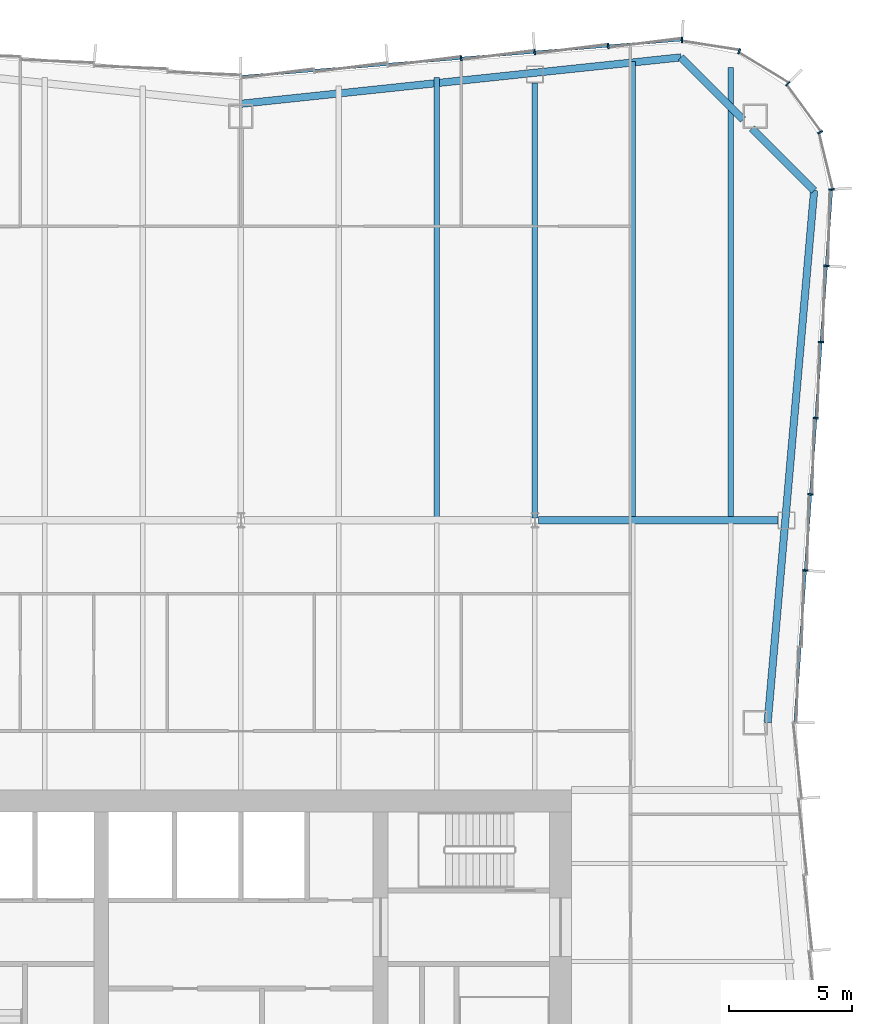
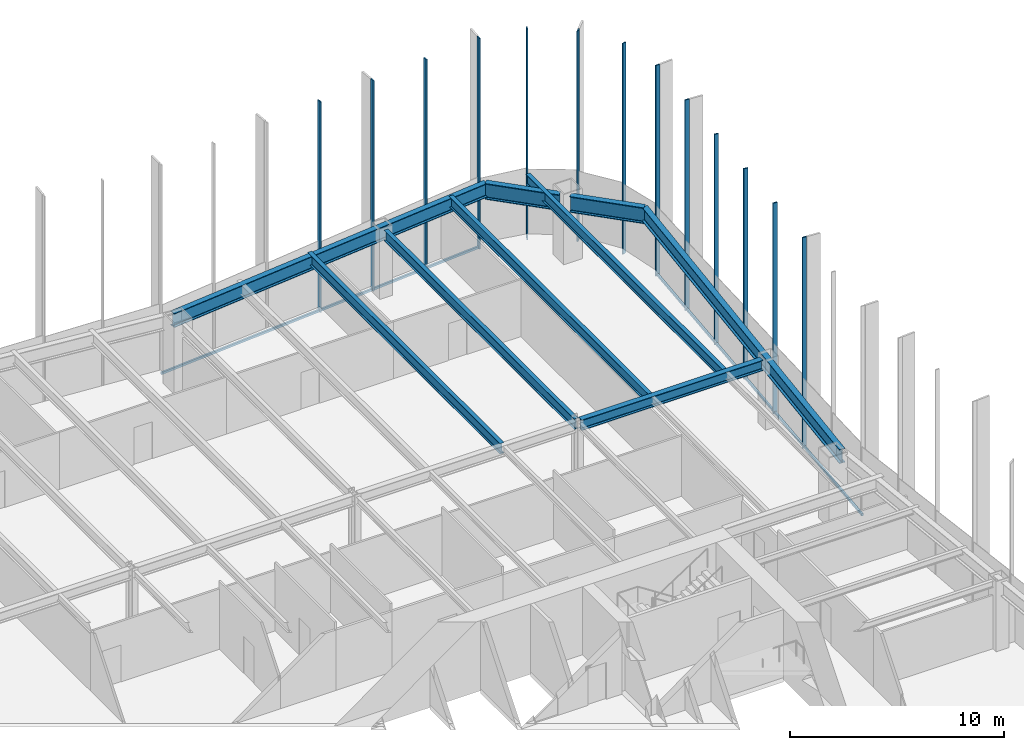
# One storey, part 7 of 13: 15 members, 9 beams, 3 elements without a shape of their own.
"""IFC4 building model written with IfcOpenShell, lengths in metres."""

from ifc_helpers import new_model, si_unit, direction, frame, origin, origin_2d, place, context, subcontext, project, spatial, rectangle, i_section, extrude, material, material_profile, profile_set, type_object, element, aggregate, save


model = new_model("IFC4")

# Units and contexts
model_context = context("Model", 3, precision=1e-05, world=origin(), true_north=direction((0.0, 1.0)))
body_context = subcontext(model_context, "Body", "Model", "MODEL_VIEW")
ifc_project = project(units=[si_unit("LENGTHUNIT", "METRE"), si_unit("AREAUNIT", "SQUARE_METRE"), si_unit("VOLUMEUNIT", "CUBIC_METRE"), si_unit("PLANEANGLEUNIT", "RADIAN"), si_unit("MASSUNIT", "GRAM", prefix="KILO")], contexts=[model_context])

# Site, building, storey
site_placement = place(None, origin())
site = spatial("IfcSite", under=ifc_project, at=site_placement, CompositionType="ELEMENT")
building_placement = place(site_placement, origin())
building = spatial("IfcBuilding", under=site, at=building_placement, Name="Verdant Reach Tower", CompositionType="ELEMENT")
storey_placement = place(building_placement, frame((0.0, 0.0, 194.0)))
storey = spatial("IfcBuildingStorey", under=building, at=storey_placement, Name="L44", CompositionType="ELEMENT", Elevation=194.0)

# Curtain wall, members
ifc_material_1 = material(Name="Anodised aluminium", Category="aluminium")
curtain_wall_type = type_object("IfcCurtainWallType", Name="EN-CW SYSTEM Z3", PredefinedType="NOTDEFINED", material=ifc_material_1)
curtain_wall_1_placement = place(storey_placement, origin())
curtain_wall_1 = element("IfcCurtainWall", 1, at=curtain_wall_1_placement, inside=storey, type_object=curtain_wall_type, Name="Curtain wall east, L44", PredefinedType="NOTDEFINED")
ifc_material_profile_1 = material_profile(ifc_material_1, rectangle(XDim=0.218017578125, YDim=0.06591796875, at=origin_2d()), Name="Mullion 66x218")
ifc_profile_set_1 = profile_set([ifc_material_profile_1], Name="Anodised aluminium")
member_type_1 = type_object("IfcMemberType", Name="EN-MULLION Z3", PredefinedType="MULLION", material=ifc_profile_set_1)
member_1_placement = place(storey_placement, frame((23.037353515625, 47.456787109375, -0.35009765625), z_axis=(0.0, 0.0, 1.0), x_axis=(0.997630328423, -0.068802091615, 0.0)))
member_1 = element("IfcMember", 2, at=member_1_placement, type_object=member_type_1, Name="Mullion east face part 2 3, L44", PredefinedType="MULLION", context=body_context, shape_type="SweptSolid", body=[
    extrude(rectangle(XDim=0.218017578125, YDim=0.06591796875, at=origin_2d()), origin(), (0.0, 0.0, 1.0), 12.0),
])
member_2_placement = place(storey_placement, frame((23.251708984375, 50.56396484375, -0.35009765625), z_axis=(0.0, 0.0, 1.0), x_axis=(0.997630328423, -0.068802091615, 0.0)))
member_2 = element("IfcMember", 3, at=member_2_placement, type_object=member_type_1, Name="Mullion east face part 2 4, L44", PredefinedType="MULLION", context=body_context, shape_type="SweptSolid", body=[
    extrude(rectangle(XDim=0.218017578125, YDim=0.06591796875, at=origin_2d()), origin(), (0.0, 0.0, 1.0), 12.0),
])
member_3_placement = place(storey_placement, frame((23.4658203125, 53.671142578125, -0.35009765625), z_axis=(0.0, 0.0, 1.0), x_axis=(0.997630328423, -0.068802091615, 0.0)))
member_3 = element("IfcMember", 4, at=member_3_placement, type_object=member_type_1, Name="Mullion east face part 2 5, L44", PredefinedType="MULLION", context=body_context, shape_type="SweptSolid", body=[
    extrude(rectangle(XDim=0.218017578125, YDim=0.06591796875, at=origin_2d()), origin(), (0.0, 0.0, 1.0), 12.0),
])
member_4_placement = place(storey_placement, frame((23.68017578125, 56.7783203125, -0.35009765625), z_axis=(0.0, 0.0, 1.0), x_axis=(0.997630328423, -0.068802091615, 0.0)))
member_4 = element("IfcMember", 5, at=member_4_placement, type_object=member_type_1, Name="Mullion east face part 2 6, L44", PredefinedType="MULLION", context=body_context, shape_type="SweptSolid", body=[
    extrude(rectangle(XDim=0.218017578125, YDim=0.06591796875, at=origin_2d()), origin(), (0.0, 0.0, 1.0), 12.0),
])
member_5_placement = place(storey_placement, frame((23.89453125, 59.88525390625, -0.35009765625), z_axis=(0.0, 0.0, 1.0), x_axis=(0.997630328423, -0.068802091615, 0.0)))
member_5 = element("IfcMember", 6, at=member_5_placement, type_object=member_type_1, Name="Mullion east face part 2 7, L44", PredefinedType="MULLION", context=body_context, shape_type="SweptSolid", body=[
    extrude(rectangle(XDim=0.218017578125, YDim=0.06591796875, at=origin_2d()), origin(), (0.0, 0.0, 1.0), 12.0),
])

curtain_wall_2_placement = place(storey_placement, origin())
curtain_wall_2 = element("IfcCurtainWall", 7, at=curtain_wall_2_placement, inside=storey, type_object=curtain_wall_type, Name="Curtain wall north-east corner, L44", PredefinedType="NOTDEFINED")
member_6_placement = place(storey_placement, frame((24.10888671875, 63.0068359375, -0.35009765625), z_axis=(0.0, 0.0, 1.0), x_axis=(0.997969180898, 0.063698618332, 0.0)))
member_6 = element("IfcMember", 8, at=member_6_placement, type_object=member_type_1, Name="Mullion north-east corner 1, L44", PredefinedType="MULLION", context=body_context, shape_type="SweptSolid", body=[
    extrude(rectangle(XDim=0.218017578125, YDim=0.06591796875, at=origin_2d()), origin(), (0.0, 0.0, 1.0), 12.0),
])
member_7_placement = place(storey_placement, frame((23.64404296875, 65.337890625, -0.35009765625), z_axis=(0.0, 0.0, 1.0), x_axis=(0.923875215753, 0.382693853776, 0.0)))
member_7 = element("IfcMember", 9, at=member_7_placement, type_object=member_type_1, Name="Mullion north-east corner 2, L44", PredefinedType="MULLION", context=body_context, shape_type="SweptSolid", body=[
    extrude(rectangle(XDim=0.218017578125, YDim=0.06591796875, at=origin_2d()), origin(), (0.0, 0.0, 1.0), 12.0),
])
member_8_placement = place(storey_placement, frame((22.319580078125, 67.319580078125, -0.35009765625), z_axis=(0.0, 0.0, 1.0), x_axis=(0.707106781187, 0.707106781187, 0.0)))
member_8 = element("IfcMember", 10, at=member_8_placement, type_object=member_type_1, Name="Mullion north-east corner 3, L44", PredefinedType="MULLION", context=body_context, shape_type="SweptSolid", body=[
    extrude(rectangle(XDim=0.218017578125, YDim=0.06591796875, at=origin_2d()), origin(), (0.0, 0.0, 1.0), 12.0),
])
member_9_placement = place(storey_placement, frame((20.337890625, 68.64404296875, -0.35009765625), z_axis=(0.0, 0.0, 1.0), x_axis=(0.382693853776, 0.923875215753, 0.0)))
member_9 = element("IfcMember", 11, at=member_9_placement, type_object=member_type_1, Name="Mullion north-east corner 4, L44", PredefinedType="MULLION", context=body_context, shape_type="SweptSolid", body=[
    extrude(rectangle(XDim=0.218017578125, YDim=0.06591796875, at=origin_2d()), origin(), (0.0, 0.0, 1.0), 12.0),
])
aggregate(curtain_wall_2, [member_6, member_7, member_8, member_9])

curtain_wall_3_placement = place(storey_placement, origin())
curtain_wall_3 = element("IfcCurtainWall", 12, at=curtain_wall_3_placement, inside=storey, type_object=curtain_wall_type, Name="Curtain wall north, L44", PredefinedType="NOTDEFINED")
member_10_placement = place(storey_placement, frame((18.006103515625, 69.10888671875, -0.35009765625), z_axis=(0.0, 0.0, 1.0), x_axis=(0.056569187765, 0.998398681387, 0.0)))
member_10 = element("IfcMember", 13, at=member_10_placement, type_object=member_type_1, Name="Mullion north face part 1 1, L44", PredefinedType="MULLION", context=body_context, shape_type="SweptSolid", body=[
    extrude(rectangle(XDim=0.218017578125, YDim=0.06591796875, at=origin_2d()), origin(), (0.0, 0.0, 1.0), 12.0),
])
member_11_placement = place(storey_placement, frame((14.990966796875, 68.858642578125, -0.35009765625), z_axis=(0.0, 0.0, 1.0), x_axis=(-0.083045479859, 0.996545758244, 0.0)))
member_11 = element("IfcMember", 14, at=member_11_placement, type_object=member_type_1, Name="Mullion north face part 1 2, L44", PredefinedType="MULLION", context=body_context, shape_type="SweptSolid", body=[
    extrude(rectangle(XDim=0.218017578125, YDim=0.06591796875, at=origin_2d()), origin(), (0.0, 0.0, 1.0), 12.0),
])
member_12_placement = place(storey_placement, frame((11.990966796875, 68.608642578125, -0.35009765625), z_axis=(0.0, 0.0, 1.0), x_axis=(-0.083045479859, 0.996545758244, 0.0)))
member_12 = element("IfcMember", 15, at=member_12_placement, type_object=member_type_1, Name="Mullion north face part 1 3, L44", PredefinedType="MULLION", context=body_context, shape_type="SweptSolid", body=[
    extrude(rectangle(XDim=0.218017578125, YDim=0.06591796875, at=origin_2d()), origin(), (0.0, 0.0, 1.0), 12.0),
])
member_13_placement = place(storey_placement, frame((8.990966796875, 68.358642578125, -0.35009765625), z_axis=(0.0, 0.0, 1.0), x_axis=(-0.083045479859, 0.996545758244, 0.0)))
member_13 = element("IfcMember", 16, at=member_13_placement, type_object=member_type_1, Name="Mullion north face part 1 4, L44", PredefinedType="MULLION", context=body_context, shape_type="SweptSolid", body=[
    extrude(rectangle(XDim=0.218017578125, YDim=0.06591796875, at=origin_2d()), origin(), (0.0, 0.0, 1.0), 12.0),
])

# Member
ifc_material_profile_2 = material_profile(ifc_material_1, rectangle(XDim=0.10009765625, YDim=0.1259765625, at=origin_2d()), Name="Transom 126x100")
ifc_profile_set_2 = profile_set([ifc_material_profile_2], Name="Anodised aluminium")
member_type_2 = type_object("IfcMemberType", Name="EN-TRANSOM Z3", PredefinedType="USERDEFINED", material=ifc_profile_set_2)
member_14_placement = place(storey_placement, frame((22.611328125, 41.282958984375, -0.287109375), z_axis=(0.068764326054, 0.997632932226, 0.0), x_axis=(-0.997632932226, 0.068764326054, 0.0)))
member_14 = element("IfcMember", 17, at=member_14_placement, type_object=member_type_2, Name="Transom east face part 2 1.1, L44", ObjectType="TRANSOM", PredefinedType="USERDEFINED", context=body_context, shape_type="SweptSolid", body=[
    extrude(rectangle(XDim=0.10009765625, YDim=0.1259765625, at=origin_2d()), origin(), (0.0, 0.0, 1.0), 21.74267578125),
])

aggregate(curtain_wall_1, [member_1, member_2, member_3, member_4, member_5, member_14])

member_15_placement = place(storey_placement, frame((17.973388671875, 69.106201171875, -0.287109375), z_axis=(-0.996548750467, -0.083009565369, 0.0), x_axis=(0.083009565369, -0.996548750467, 0.0)))
member_15 = element("IfcMember", 18, at=member_15_placement, type_object=member_type_2, Name="Transom north face part 1 1.1, L44", ObjectType="TRANSOM", PredefinedType="USERDEFINED", context=body_context, shape_type="SweptSolid", body=[
    extrude(rectangle(XDim=0.10009765625, YDim=0.1259765625, at=origin_2d()), origin(), (0.0, 0.0, 1.0), 18.00244140625),
])

aggregate(curtain_wall_3, [member_10, member_11, member_12, member_13, member_15])

# Beams
ifc_material_2 = material(Name="Steel S355", Category="steel")
ifc_material_profile_3 = material_profile(ifc_material_2, i_section(OverallWidth=0.300048828125, OverallDepth=0.60009765625, WebThickness=0.015380859375, FlangeThickness=0.030029296875, FilletRadius=0.027099609375, at=origin_2d()), Name="HEB 600")
ifc_profile_set_3 = profile_set([ifc_material_profile_3], Name="Steel S355")
beam_type_1 = type_object("IfcBeamType", Name="ST-BEAM-HEB600", PredefinedType="BEAM", material=ifc_profile_set_3)
beam_1_placement = place(storey_placement, frame((12.152587890625, 49.5, 3.570068359375), z_axis=(1.0, 0.0, 0.0), x_axis=(0.0, 1.0, 0.0)))
element("IfcBeam", 19, at=beam_1_placement, inside=storey, type_object=beam_type_1, Name="Row girder, L44", PredefinedType="BEAM", context=body_context, shape_type="SweptSolid", body=[
    extrude(i_section(OverallWidth=0.300048828125, OverallDepth=0.60009765625, WebThickness=0.015380859375, FlangeThickness=0.030029296875, FilletRadius=0.027099609375, at=origin_2d()), origin(), (0.0, 0.0, 1.0), 9.766357421875),
])
ifc_material_profile_4 = material_profile(ifc_material_2, i_section(OverallWidth=0.219970703125, OverallDepth=0.60009765625, WebThickness=0.011962890625, FlangeThickness=0.01904296875, FilletRadius=0.02392578125, at=origin_2d()), Name="IPE 600")
ifc_profile_set_4 = profile_set([ifc_material_profile_4], Name="Steel S355")
beam_type_2 = type_object("IfcBeamType", Name="ST-JOIST-IPE600", PredefinedType="JOIST", material=ifc_profile_set_4)
beam_2_placement = place(storey_placement, frame((8.0, 49.60009765625, 3.570068359375), z_axis=(0.0, 1.0, 0.0), x_axis=(-1.0, 0.0, 0.0)))
element("IfcBeam", 20, at=beam_2_placement, inside=storey, type_object=beam_type_2, Name="Floor joist, L44", PredefinedType="JOIST", context=body_context, shape_type="SweptSolid", body=[
    extrude(i_section(OverallWidth=0.219970703125, OverallDepth=0.60009765625, WebThickness=0.011962890625, FlangeThickness=0.01904296875, FilletRadius=0.02392578125, at=origin_2d()), origin(), (0.0, 0.0, 1.0), 17.964599609375),
])
beam_3_placement = place(storey_placement, frame((12.0, 49.60009765625, 3.570068359375), z_axis=(0.0, 1.0, 0.0), x_axis=(-1.0, 0.0, 0.0)))
element("IfcBeam", 21, at=beam_3_placement, inside=storey, type_object=beam_type_2, Name="Floor joist, L44", PredefinedType="JOIST", context=body_context, shape_type="SweptSolid", body=[
    extrude(i_section(OverallWidth=0.219970703125, OverallDepth=0.60009765625, WebThickness=0.011962890625, FlangeThickness=0.01904296875, FilletRadius=0.02392578125, at=origin_2d()), origin(), (0.0, 0.0, 1.0), 17.75),
])
beam_4_placement = place(storey_placement, frame((16.0, 49.60009765625, 3.570068359375), z_axis=(0.0, 1.0, 0.0), x_axis=(-1.0, 0.0, 0.0)))
element("IfcBeam", 22, at=beam_4_placement, inside=storey, type_object=beam_type_2, Name="Floor joist, L44", PredefinedType="JOIST", context=body_context, shape_type="SweptSolid", body=[
    extrude(i_section(OverallWidth=0.219970703125, OverallDepth=0.60009765625, WebThickness=0.011962890625, FlangeThickness=0.01904296875, FilletRadius=0.02392578125, at=origin_2d()), origin(), (0.0, 0.0, 1.0), 18.631103515625),
])
beam_5_placement = place(storey_placement, frame((20.0, 49.60009765625, 3.570068359375), z_axis=(0.0, 1.0, 0.0), x_axis=(-1.0, 0.0, 0.0)))
element("IfcBeam", 23, at=beam_5_placement, inside=storey, type_object=beam_type_2, Name="Floor joist, L44", PredefinedType="JOIST", context=body_context, shape_type="SweptSolid", body=[
    extrude(i_section(OverallWidth=0.219970703125, OverallDepth=0.60009765625, WebThickness=0.011962890625, FlangeThickness=0.01904296875, FilletRadius=0.02392578125, at=origin_2d()), origin(), (0.0, 0.0, 1.0), 18.390380859375),
])
ifc_material_profile_5 = material_profile(ifc_material_2, i_section(OverallWidth=0.300048828125, OverallDepth=0.800048828125, WebThickness=0.017578125, FlangeThickness=0.032958984375, FilletRadius=0.030029296875, at=origin_2d()), Name="HEB 800")
ifc_profile_set_5 = profile_set([ifc_material_profile_5], Name="Steel S355")
beam_type_3 = type_object("IfcBeamType", Name="ST-SPANDREL-HEB800", PredefinedType="SPANDREL", material=ifc_profile_set_5)
beam_6_placement = place(storey_placement, frame((0.0, 66.5, 3.469970703125), z_axis=(0.994483067002, 0.104897232783, 0.0), x_axis=(-0.104897232783, 0.994483067002, 0.0)))
element("IfcBeam", 24, at=beam_6_placement, inside=storey, type_object=beam_type_3, Name="Edge beam, L44", PredefinedType="SPANDREL", context=body_context, shape_type="SweptSolid", body=[
    extrude(i_section(OverallWidth=0.300048828125, OverallDepth=0.800048828125, WebThickness=0.017578125, FlangeThickness=0.032958984375, FilletRadius=0.030029296875, at=origin_2d()), origin(), (0.0, 0.0, 1.0), 18.0654296875),
])
beam_7_placement = place(storey_placement, frame((23.39599609375, 62.96142578125, 3.469970703125), z_axis=(-0.086996024331, -0.996208658741, 0.0), x_axis=(0.996208658741, -0.086996024331, 0.0)))
element("IfcBeam", 25, at=beam_7_placement, inside=storey, type_object=beam_type_3, Name="Edge beam, L44", PredefinedType="SPANDREL", context=body_context, shape_type="SweptSolid", body=[
    extrude(i_section(OverallWidth=0.300048828125, OverallDepth=0.800048828125, WebThickness=0.017578125, FlangeThickness=0.032958984375, FilletRadius=0.030029296875, at=origin_2d()), origin(), (0.0, 0.0, 1.0), 21.7939453125),
])
ifc_material_profile_6 = material_profile(ifc_material_2, i_section(OverallWidth=0.302001953125, OverallDepth=0.909912109375, WebThickness=0.02099609375, FlangeThickness=0.0400390625, FilletRadius=0.030029296875, at=origin_2d()), Name="HEM 900")
ifc_profile_set_6 = profile_set([ifc_material_profile_6], Name="Steel S355")
beam_type_4 = type_object("IfcBeamType", Name="ST-SPANDREL-HEM900", PredefinedType="SPANDREL", material=ifc_profile_set_6)
beam_8_placement = place(storey_placement, frame((17.9658203125, 68.39501953125, 3.4150390625), z_axis=(0.706868394255, -0.707345087777, 0.0), x_axis=(0.707345087777, 0.706868394255, 0.0)))
element("IfcBeam", 26, at=beam_8_placement, inside=storey, type_object=beam_type_4, Name="Edge beam, L44", PredefinedType="SPANDREL", context=body_context, shape_type="SweptSolid", body=[
    extrude(i_section(OverallWidth=0.302001953125, OverallDepth=0.909912109375, WebThickness=0.02099609375, FlangeThickness=0.0400390625, FilletRadius=0.030029296875, at=origin_2d()), origin(), (0.0, 0.0, 1.0), 3.5849609375),
])
beam_9_placement = place(storey_placement, frame((20.85888671875, 65.5, 3.4150390625), z_axis=(0.706902680526, -0.707310822952, 0.0), x_axis=(0.707310822952, 0.706902680526, 0.0)))
element("IfcBeam", 27, at=beam_9_placement, inside=storey, type_object=beam_type_4, Name="Edge beam, L44", PredefinedType="SPANDREL", context=body_context, shape_type="SweptSolid", body=[
    extrude(i_section(OverallWidth=0.302001953125, OverallDepth=0.909912109375, WebThickness=0.02099609375, FlangeThickness=0.0400390625, FilletRadius=0.030029296875, at=origin_2d()), origin(), (0.0, 0.0, 1.0), 3.589111328125),
])

save(model, "model.ifc")
